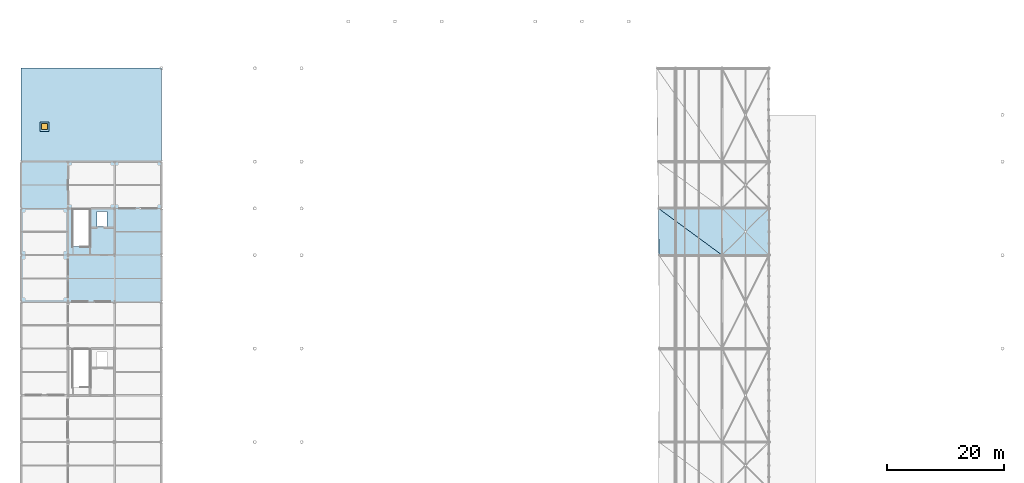
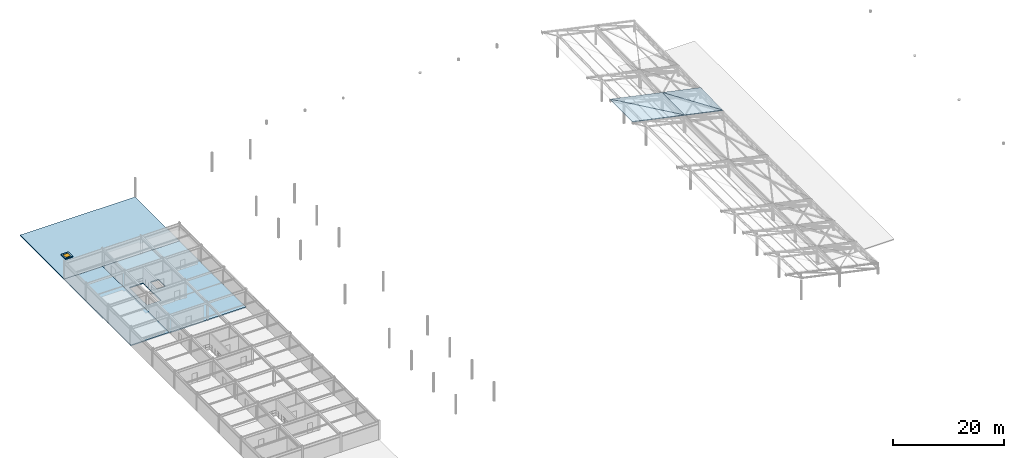
# One storey, part 26 of 41: 8 slabs, 1 door, 1 opening.
"""IFC4 building model written with IfcOpenShell, lengths in metres."""

from ifc_helpers import new_model, si_unit, direction, frame, origin, origin_2d, place, context, subcontext, project, spatial, polyline, rectangle, outline, extrude, material, layer, layer_set, type_object, element, fill, save


model = new_model("IFC4")

# Units and contexts
model_context = context("Model", 3, precision=1e-05, world=origin(), true_north=direction((0.0, 1.0)))
body_context = subcontext(model_context, "Body", "Model", "MODEL_VIEW")
ifc_project = project(units=[si_unit("LENGTHUNIT", "METRE"), si_unit("AREAUNIT", "SQUARE_METRE"), si_unit("VOLUMEUNIT", "CUBIC_METRE"), si_unit("PLANEANGLEUNIT", "RADIAN"), si_unit("MASSUNIT", "GRAM", prefix="KILO")], contexts=[model_context])

# Site, building, storey
site_placement = place(None, origin())
site = spatial("IfcSite", under=ifc_project, at=site_placement, CompositionType="ELEMENT")
building_placement = place(site_placement, origin())
building = spatial("IfcBuilding", under=site, at=building_placement, Name="Haebicheon Civic Stadium", CompositionType="ELEMENT")
storey_placement = place(building_placement, frame((0.0, 0.0, 27.0)))
storey = spatial("IfcBuildingStorey", under=building, at=storey_placement, Name="L07", CompositionType="ELEMENT", Elevation=27.0)

# Slabs
ifc_material_1 = material(Name="White painted steel SM490", Category="steel")
ifc_layer_1 = layer(ifc_material_1, 0.159912109375, Name="White painted steel SM490")
ifc_layer_set_1 = layer_set([ifc_layer_1], Name="White painted steel SM490")
slab_type_1 = type_object("IfcSlabType", Name="SLB-CAN-160", PredefinedType="ROOF", material=ifc_layer_set_1)
slab_1_placement = place(storey_placement, frame((152.0, 104.0, 2.12109375), z_axis=(0.21016914853, -0.015154851306, 0.977547574028), x_axis=(-0.977659849808, 0.0, 0.210193287411)))
element("IfcSlab", 1, at=slab_1_placement, inside=storey, type_object=slab_type_1, material=ifc_layer_set_1, Name="CAN-EAST curled canopy facet 6.BS-A", PredefinedType="ROOF", context=body_context, shape_type="SweptSolid", body=[
    extrude(outline(polyline([(0.0, 0.0), (8.182805094807545, -3.469446951953614e-18), (8.20887398885174, -8.000918836347024), (0.0, 0.0)])), origin(), (0.0, 0.0, -1.0), 0.159912109375),
])
slab_2_placement = place(storey_placement, frame((152.0, 104.0, 2.12109375), z_axis=(0.21016914853, -0.015154851306, 0.977547574028), x_axis=(-0.697897728551, 0.697897728551, 0.160864915275)))
element("IfcSlab", 2, at=slab_2_placement, inside=storey, type_object=slab_type_1, material=ifc_layer_set_1, Name="CAN-EAST curled canopy facet 6.BS-B", PredefinedType="ROOF", context=body_context, shape_type="SweptSolid", body=[
    extrude(outline(polyline([(0.0, 0.0), (11.462997618016821, 2.7755575615628914e-16), (5.603132848173982, -5.711416995699318), (0.0, 0.0)])), origin(), (0.0, 0.0, -1.0), 0.159912109375),
])
slab_3_placement = place(storey_placement, frame((144.0, 104.0, 3.841064453125), z_axis=(0.210132845952, -0.015155212408, 0.977555372646), x_axis=(-0.977667654673, 0.0, 0.210156981815)))
element("IfcSlab", 3, at=slab_3_placement, inside=storey, type_object=slab_type_1, material=ifc_layer_set_1, Name="CAN-EAST curled canopy facet 6.CT-A", PredefinedType="ROOF", context=body_context, shape_type="SweptSolid", body=[
    extrude(outline(polyline([(0.0, 0.0), (11.07221980816373, 0.0), (11.174947854439726, -8.00091888014219), (0.0, 0.0)])), origin(), (0.0, 0.0, -1.0), 0.159912109375),
])
slab_4_placement = place(storey_placement, frame((144.0, 104.0, 3.841064453125), z_axis=(0.210133015228, -0.015154971702, 0.97755533999), x_axis=(-0.793073317507, 0.582077374637, 0.179501094687)))
element("IfcSlab", 4, at=slab_4_placement, inside=storey, type_object=slab_type_1, material=ifc_layer_set_1, Name="CAN-EAST curled canopy facet 6.CT-B", PredefinedType="ROOF", context=body_context, shape_type="SweptSolid", body=[
    extrude(outline(polyline([(0.0, 0.0), (13.743877272300667, 8.881784197001252e-16), (4.678881339897672, -6.490258178239652), (0.0, 0.0)])), origin(), (0.0, 0.0, -1.0), 0.159912109375),
])

# Slab, opening, door
ifc_material_2 = material(Name="Precast concrete C40/50", Category="concrete")
ifc_layer_2 = layer(ifc_material_2, 0.2099609375, Name="Precast concrete C40/50")
ifc_layer_set_2 = layer_set([ifc_layer_2], Name="Precast concrete C40/50")
slab_type_2 = type_object("IfcSlabType", Name="SLB-CRB-210", PredefinedType="ROOF", material=ifc_layer_set_2)
slab_5_placement = place(storey_placement, origin())
slab_5 = element("IfcSlab", 5, at=slab_5_placement, inside=storey, type_object=slab_type_2, material=ifc_layer_set_2, Name="Rooftop hatch upstand curb 06", PredefinedType="ROOF", context=body_context, shape_type="SweptSolid", body=[
    extrude(outline(polyline([(27.199951171875, 125.199951171875), (28.800048828125, 125.199951171875), (28.800048828125, 126.800048828125), (27.199951171875, 126.800048828125), (27.199951171875, 125.199951171875)]), holes=[polyline([(27.5, 125.5), (28.5, 125.5), (28.5, 126.5), (27.5, 126.5), (27.5, 125.5)])]), origin(), (0.0, 0.0, 1.0), 0.2099609375),
])
opening_placement = place(slab_5_placement, frame((28.0, 126.0, -0.010009765625)))
opening = element("IfcOpeningElement", 6, at=opening_placement, cuts=slab_5, Name="Opening HTCH-06", PredefinedType="OPENING", context=body_context, shape_type="SweptSolid", body=[
    extrude(rectangle(XDim=1.0, YDim=1.0, at=origin_2d()), origin(), (0.0, 0.0, 1.0), 0.22998046875),
])
ifc_material_3 = material(Name="Anodised aluminium 6063-T6", Category="aluminium")
door_type = type_object("IfcDoorType", Name="ED-HTCH-1000", OperationType="NOTDEFINED", PredefinedType="TRAPDOOR", material=ifc_material_3)
door_placement = place(slab_5_placement, frame((28.0, 126.0, 0.159912109375)))
door = element("IfcDoor", 7, at=door_placement, inside=storey, type_object=door_type, material=ifc_material_3, Name="Roof maintenance access hatch HTCH-06", OperationType="SINGLE_SWING_LEFT", OverallHeight=1.0, OverallWidth=1.0, PredefinedType="TRAPDOOR", context=body_context, shape_type="SweptSolid", body=[
    extrude(rectangle(XDim=1.0, YDim=1.0, at=origin_2d()), origin(), (0.0, 0.0, 1.0), 0.050048828125),
])
fill(opening, door)

# Slabs
ifc_material_4 = material(Name="Concrete C35/45", Category="concrete")
ifc_layer_3 = layer(ifc_material_4, 0.22998046875, Name="Concrete C35/45")
ifc_layer_set_3 = layer_set([ifc_layer_3], Name="Concrete C35/45")
slab_type_3 = type_object("IfcSlabType", Name="SLB-FLR-230", PredefinedType="FLOOR", material=ifc_layer_set_3)
slab_6_placement = place(storey_placement, frame((0.0, 0.0, -0.22998046875)))
element("IfcSlab", 8, at=slab_6_placement, inside=storey, type_object=slab_type_3, material=ifc_layer_set_3, Name="L07 V1 structural slab 3.1", PredefinedType="FLOOR", context=body_context, shape_type="SweptSolid", body=[
    extrude(outline(polyline([(32.0, 96.0), (24.0, 96.0), (24.0, 104.0), (24.0, 112.0), (24.0, 120.0), (32.0, 120.0), (32.0, 112.0), (32.0, 104.0), (32.0, 96.0)])), origin(), (0.0, 0.0, 1.0), 0.22998046875),
])
slab_7_placement = place(storey_placement, frame((0.0, 0.0, -0.22998046875)))
element("IfcSlab", 9, at=slab_7_placement, inside=storey, type_object=slab_type_3, material=ifc_layer_set_3, Name="L07 V1 structural slab 6.1", PredefinedType="FLOOR", context=body_context, shape_type="SweptSolid", body=[
    extrude(outline(polyline([(32.0, 104.0), (32.0, 112.0), (32.0, 120.0), (40.0, 120.0), (48.0, 120.0), (48.0, 112.0), (48.0, 104.0), (48.0, 96.0), (40.0, 96.0), (32.0, 96.0), (32.0, 104.0)]), holes=[polyline([(32.840087890625, 105.4599609375), (35.739990234375, 105.4599609375), (35.739990234375, 111.840087890625), (32.840087890625, 111.840087890625), (32.840087890625, 105.4599609375)]), polyline([(36.969970703125, 108.929931640625), (38.669921875, 108.929931640625), (38.669921875, 111.429931640625), (36.969970703125, 111.429931640625), (36.969970703125, 108.929931640625)])]), origin(), (0.0, 0.0, 1.0), 0.22998046875),
])
ifc_material_5 = material(Name="Concrete C40/50", Category="concrete")
ifc_layer_4 = layer(ifc_material_5, 0.219970703125, Name="Concrete C40/50")
ifc_layer_set_4 = layer_set([ifc_layer_4], Name="Concrete C40/50")
slab_type_4 = type_object("IfcSlabType", Name="SLB-ROOF-220", PredefinedType="ROOF", material=ifc_layer_set_4)
slab_8_placement = place(storey_placement, frame((0.0, 0.0, -0.219970703125)))
element("IfcSlab", 10, at=slab_8_placement, inside=storey, type_object=slab_type_4, material=ifc_layer_set_4, Name="L07 V1 roof deck slab 2", PredefinedType="ROOF", context=body_context, shape_type="SweptSolid", body=[
    extrude(outline(polyline([(24.0, 120.0), (24.0, 136.0), (48.0, 136.0), (48.0, 120.0), (24.0, 120.0)]), holes=[polyline([(27.5, 125.5), (28.5, 125.5), (28.5, 126.5), (27.5, 126.5), (27.5, 125.5)])]), origin(), (0.0, 0.0, 1.0), 0.219970703125),
])

save(model, "model.ifc")
